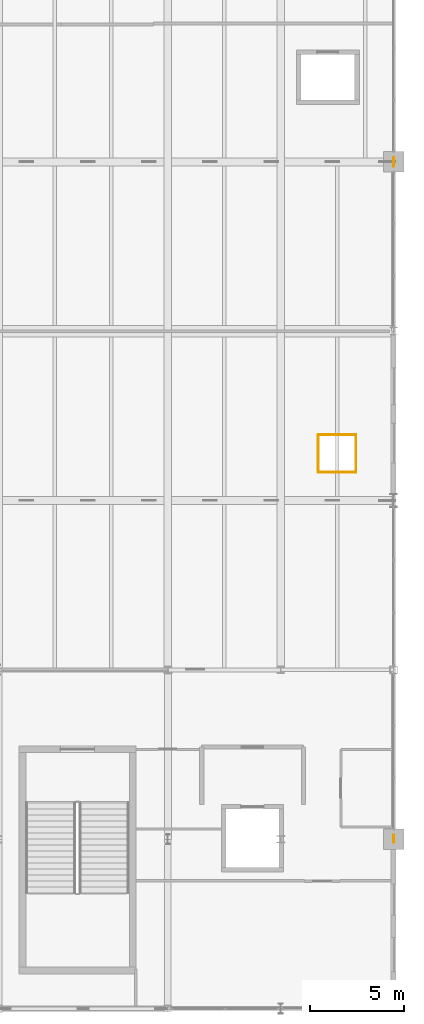
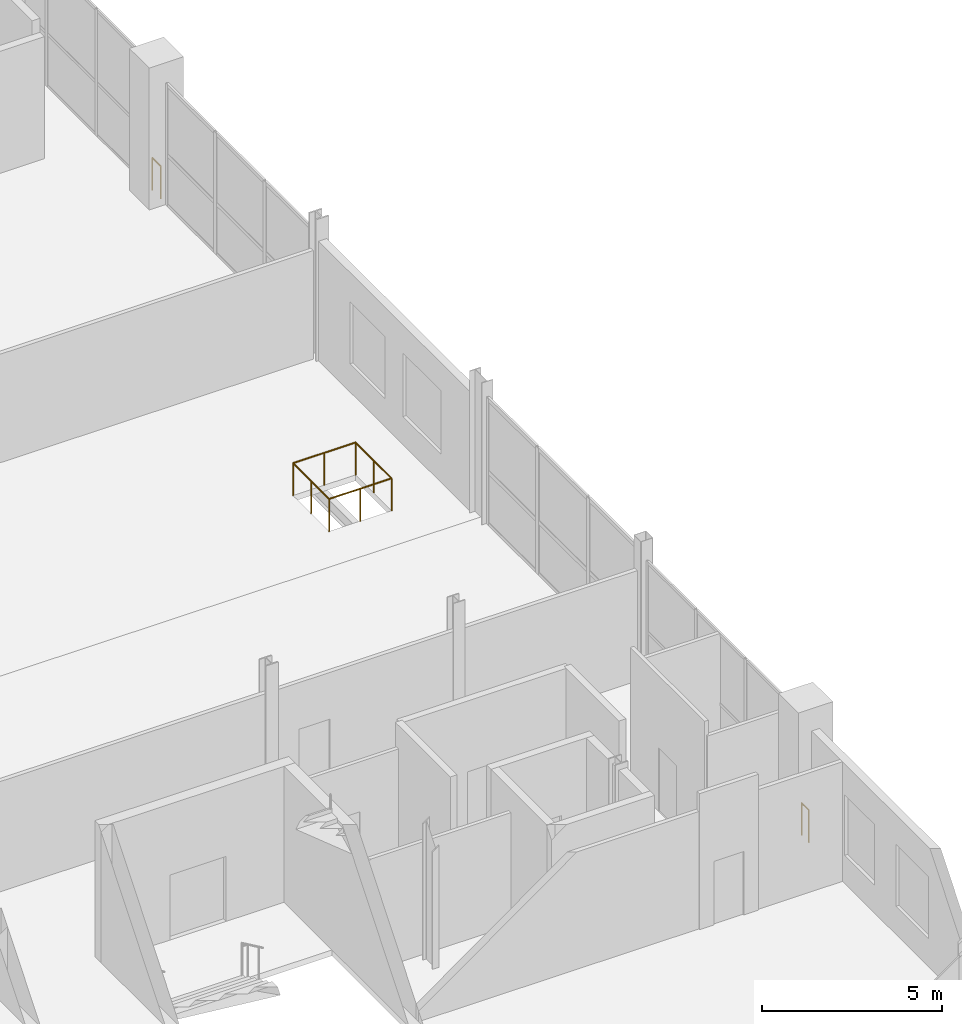
# One storey, part 63 of 69: 6 railings.
"""IFC4 building model written with IfcOpenShell, lengths in metres."""

from ifc_helpers import new_model, si_unit, direction, frame, origin, origin_2d, place, context, subcontext, project, spatial, circle, extrude, material, type_object, element, save


model = new_model("IFC4")

# Units and contexts
model_context = context("Model", 3, precision=1e-05, world=origin(), true_north=direction((0.0, 1.0)))
body_context = subcontext(model_context, "Body", "Model", "MODEL_VIEW")
ifc_project = project(units=[si_unit("LENGTHUNIT", "METRE"), si_unit("AREAUNIT", "SQUARE_METRE"), si_unit("VOLUMEUNIT", "CUBIC_METRE"), si_unit("PLANEANGLEUNIT", "RADIAN"), si_unit("MASSUNIT", "GRAM", prefix="KILO")], contexts=[model_context])

# Site, building, storey
site_placement = place(None, origin())
site = spatial("IfcSite", under=ifc_project, at=site_placement, CompositionType="ELEMENT")
building_placement = place(site_placement, origin())
building = spatial("IfcBuilding", under=site, at=building_placement, Name="Qamarlyn Nura Convention Centre", CompositionType="ELEMENT")
storey_placement = place(building_placement, frame((0.0, 0.0, 15.60009765625)))
storey = spatial("IfcBuildingStorey", under=building, at=storey_placement, Name="L03", CompositionType="ELEMENT", Elevation=15.60009765625)

# Railings
ifc_material = material(Name="Marine Grade 316 stainless steel", Category="steel")
railing_type = type_object("IfcRailingType", Name="GRD-VOID-112", PredefinedType="BALUSTRADE", material=ifc_material)
railing_1_placement = place(storey_placement, frame((192.0, 45.22998046875, 0.0)))
element("IfcRailing", 1, at=railing_1_placement, inside=storey, type_object=railing_type, Name="L03 slab edge balustrade guard 069", PredefinedType="BALUSTRADE", context=body_context, shape_type="SweptSolid", body=[
    extrude(circle(Radius=0.02392578125, at=origin_2d()), frame((0.0, 0.0, 1.09619140625), z_axis=(0.0, -1.0, 0.0), x_axis=(1.0, 0.0, 0.0)), (0.0, 0.0, 1.0), 0.4599609375),
    extrude(circle(Radius=0.02099609375, at=origin_2d()), origin(), (0.0, 0.0, 1.0), 1.070068359375),
    extrude(circle(Radius=0.02099609375, at=origin_2d()), frame((0.0, -0.4599609375, 0.0)), (0.0, 0.0, 1.0), 1.070068359375),
])
railing_2_placement = place(storey_placement, frame((192.0, 9.22998046875, 0.0)))
element("IfcRailing", 2, at=railing_2_placement, inside=storey, type_object=railing_type, Name="L03 slab edge balustrade guard 070", PredefinedType="BALUSTRADE", context=body_context, shape_type="SweptSolid", body=[
    extrude(circle(Radius=0.02392578125, at=origin_2d()), frame((0.0, 0.0, 1.09619140625), z_axis=(0.0, -1.0, 0.0), x_axis=(1.0, 0.0, 0.0)), (0.0, 0.0, 1.0), 0.39990234375),
    extrude(circle(Radius=0.02099609375, at=origin_2d()), origin(), (0.0, 0.0, 1.0), 1.070068359375),
    extrude(circle(Radius=0.02099609375, at=origin_2d()), frame((0.0, -0.39990234375, 0.0)), (0.0, 0.0, 1.0), 1.070068359375),
])
railing_3_placement = place(storey_placement, frame((190.0, 30.5, 0.0)))
element("IfcRailing", 3, at=railing_3_placement, inside=storey, type_object=railing_type, Name="L03 slab edge balustrade guard 071", PredefinedType="BALUSTRADE", context=body_context, shape_type="SweptSolid", body=[
    extrude(circle(Radius=0.02392578125, at=origin_2d()), frame((0.0, 0.0, 1.09619140625), z_axis=(-1.0, 0.0, 0.0), x_axis=(0.0, -1.0, 0.0)), (0.0, 0.0, 1.0), 2.0),
    extrude(circle(Radius=0.02099609375, at=origin_2d()), origin(), (0.0, 0.0, 1.0), 1.070068359375),
    extrude(circle(Radius=0.02099609375, at=origin_2d()), frame((-1.0, 0.0, 0.0)), (0.0, 0.0, 1.0), 1.070068359375),
    extrude(circle(Radius=0.02099609375, at=origin_2d()), frame((-2.0, 0.0, 0.0)), (0.0, 0.0, 1.0), 1.070068359375),
])
railing_4_placement = place(storey_placement, frame((188.0, 30.5, 0.0)))
element("IfcRailing", 4, at=railing_4_placement, inside=storey, type_object=railing_type, Name="L03 slab edge balustrade guard 072", PredefinedType="BALUSTRADE", context=body_context, shape_type="SweptSolid", body=[
    extrude(circle(Radius=0.02392578125, at=origin_2d()), frame((0.0, 0.0, 1.09619140625), z_axis=(0.0, -1.0, 0.0), x_axis=(1.0, 0.0, 0.0)), (0.0, 0.0, 1.0), 2.0),
    extrude(circle(Radius=0.02099609375, at=origin_2d()), origin(), (0.0, 0.0, 1.0), 1.070068359375),
    extrude(circle(Radius=0.02099609375, at=origin_2d()), frame((0.0, -1.0, 0.0)), (0.0, 0.0, 1.0), 1.070068359375),
    extrude(circle(Radius=0.02099609375, at=origin_2d()), frame((0.0, -2.0, 0.0)), (0.0, 0.0, 1.0), 1.070068359375),
])
railing_5_placement = place(storey_placement, frame((188.0, 28.5, 0.0)))
element("IfcRailing", 5, at=railing_5_placement, inside=storey, type_object=railing_type, Name="L03 slab edge balustrade guard 073", PredefinedType="BALUSTRADE", context=body_context, shape_type="SweptSolid", body=[
    extrude(circle(Radius=0.02392578125, at=origin_2d()), frame((0.0, 0.0, 1.09619140625), z_axis=(1.0, 0.0, 0.0), x_axis=(0.0, 1.0, 0.0)), (0.0, 0.0, 1.0), 2.0),
    extrude(circle(Radius=0.02099609375, at=origin_2d()), origin(), (0.0, 0.0, 1.0), 1.070068359375),
    extrude(circle(Radius=0.02099609375, at=origin_2d()), frame((1.0, 0.0, 0.0)), (0.0, 0.0, 1.0), 1.070068359375),
    extrude(circle(Radius=0.02099609375, at=origin_2d()), frame((2.0, 0.0, 0.0)), (0.0, 0.0, 1.0), 1.070068359375),
])
railing_6_placement = place(storey_placement, frame((190.0, 28.5, 0.0)))
element("IfcRailing", 6, at=railing_6_placement, inside=storey, type_object=railing_type, Name="L03 slab edge balustrade guard 074", PredefinedType="BALUSTRADE", context=body_context, shape_type="SweptSolid", body=[
    extrude(circle(Radius=0.02392578125, at=origin_2d()), frame((0.0, 0.0, 1.09619140625), z_axis=(0.0, 1.0, 0.0), x_axis=(-1.0, 0.0, 0.0)), (0.0, 0.0, 1.0), 2.0),
    extrude(circle(Radius=0.02099609375, at=origin_2d()), origin(), (0.0, 0.0, 1.0), 1.070068359375),
    extrude(circle(Radius=0.02099609375, at=origin_2d()), frame((0.0, 1.0, 0.0)), (0.0, 0.0, 1.0), 1.070068359375),
    extrude(circle(Radius=0.02099609375, at=origin_2d()), frame((0.0, 2.0, 0.0)), (0.0, 0.0, 1.0), 1.070068359375),
])

save(model, "model.ifc")
